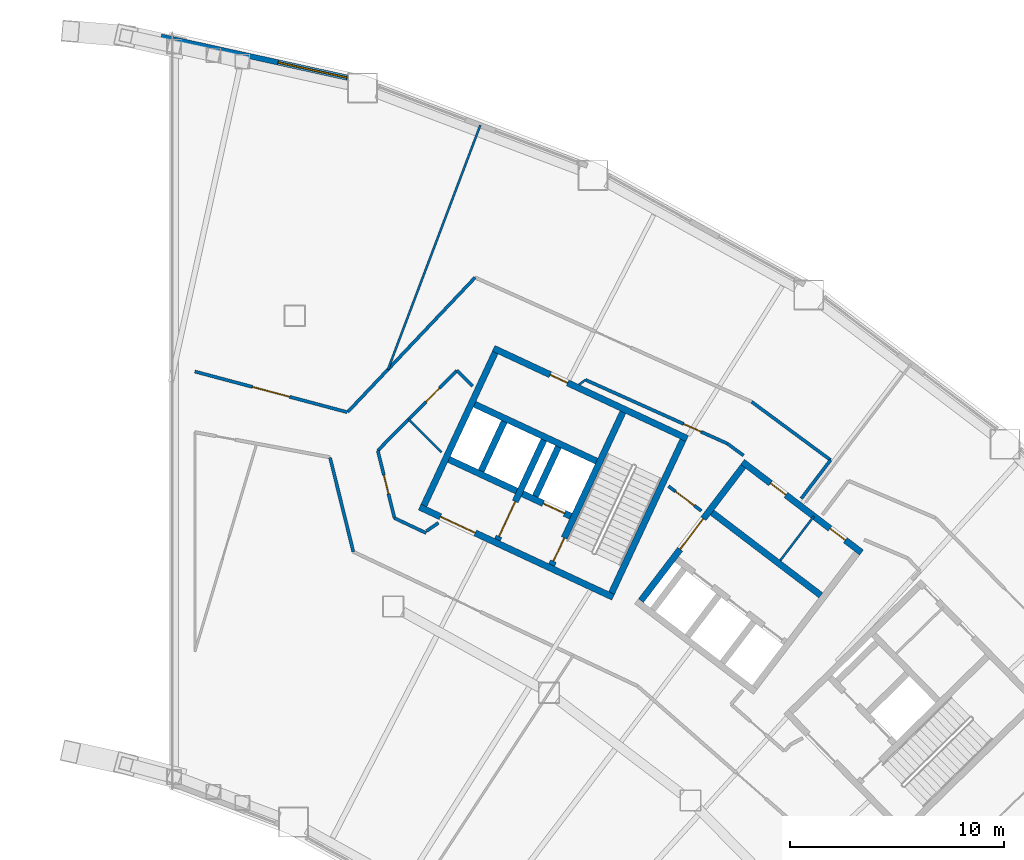
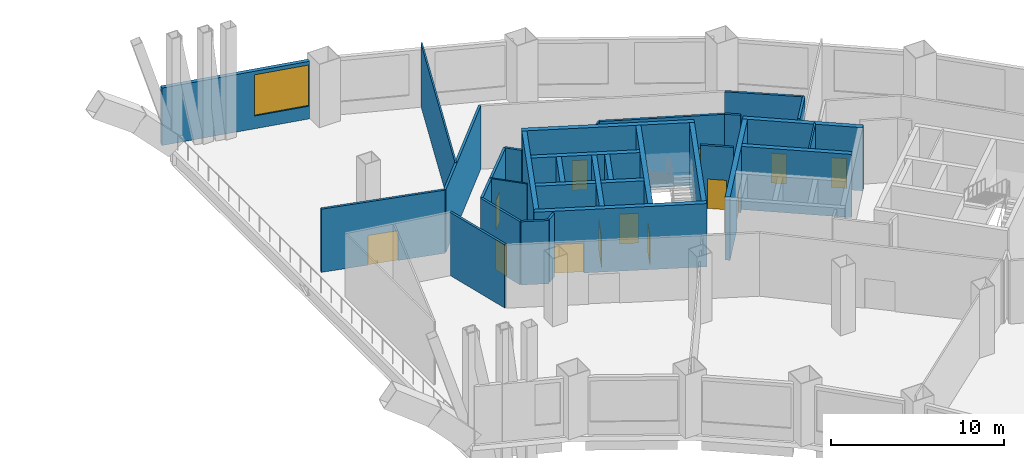
# One storey, part 10 of 14: 32 walls, 13 doors, 1 window, 14 openings.
"""IFC4 building model written with IfcOpenShell, lengths in metres."""

from ifc_helpers import new_model, si_unit, direction, frame, frame_2d, origin, place, context, subcontext, project, spatial, rectangle, extrude, material, layer, layer_set, type_object, element, fill, save


model = new_model("IFC4")

# Units and contexts
model_context = context("Model", 3, precision=1e-05, world=origin(), true_north=direction((0.0, 1.0)))
body_context = subcontext(model_context, "Body", "Model", "MODEL_VIEW")
ifc_project = project(units=[si_unit("LENGTHUNIT", "METRE"), si_unit("AREAUNIT", "SQUARE_METRE"), si_unit("VOLUMEUNIT", "CUBIC_METRE"), si_unit("PLANEANGLEUNIT", "RADIAN"), si_unit("MASSUNIT", "GRAM", prefix="KILO")], contexts=[model_context])

# Site, building, storey
site_placement = place(None, origin())
site = spatial("IfcSite", under=ifc_project, at=site_placement, CompositionType="ELEMENT")
building_placement = place(site_placement, origin())
building = spatial("IfcBuilding", under=site, at=building_placement, Name="Tuul Gate Civic Tower", CompositionType="ELEMENT")
storey_placement = place(building_placement, frame((0.0, 0.0, 17.10009765625)))
storey = spatial("IfcBuildingStorey", under=building, at=storey_placement, Name="Level 03", CompositionType="ELEMENT", Elevation=17.10009765625)

# Wall, opening, door
ifc_material_1 = material(Name="Concrete C50/60", Category="concrete")
ifc_layer_1 = layer(ifc_material_1, 0.300048828125)
ifc_layer_set_1 = layer_set([ifc_layer_1], Name="Concrete C50/60")
wall_type_1 = type_object("IfcWallType", Name="Core wall C50/60", PredefinedType="SHEAR", material=ifc_layer_set_1)
wall_1_placement = place(storey_placement, frame((34.5283203125, -7.25, 0.0), z_axis=(0.0, 0.0, 1.0), x_axis=(-0.906310338845, 0.422612789327, 0.0)))
wall_1 = element("IfcWall", 1, at=wall_1_placement, inside=storey, type_object=wall_type_1, Name="Core wall", PredefinedType="SHEAR", context=body_context, shape_type="SweptSolid", body=[
    extrude(rectangle(XDim=9.999755859375, YDim=0.300048828125, at=frame_2d((5.0, 0.0))), origin(), (0.0, 0.0, 1.0), 4.449951171875),
])
opening_1_placement = place(wall_1_placement, frame((7.125, 0.0, 0.0)))
opening_1 = element("IfcOpeningElement", 2, at=opening_1_placement, cuts=wall_1, Name="Opening LB-E3-LOBBY-1", PredefinedType="OPENING", context=body_context, shape_type="SweptSolid", body=[
    extrude(rectangle(XDim=1.800048828125, YDim=2.10009765625, at=frame_2d((0.89990234375, 1.050048828125))), frame((0.0, 0.16015625, 0.0), z_axis=(0.0, -1.0, 0.0), x_axis=(1.0, 0.0, 0.0)), (0.0, 0.0, 1.0), 0.320068359375),
])
ifc_material_2 = material(Name="Steel", Category="steel")
door_type_1 = type_object("IfcDoorType", Name="Lobby door", OperationType="DOUBLE_DOOR_SINGLE_SWING", PredefinedType="DOOR", material=ifc_material_2)
door_1_placement = place(opening_1_placement, frame((1.800048828125, 0.0, 0.0), z_axis=(0.0, 0.0, 1.0), x_axis=(-1.0, 0.0, 0.0)))
door_1 = element("IfcDoor", 3, at=door_1_placement, inside=storey, type_object=door_type_1, Name="Lobby door E3-LOBBY", OperationType="DOUBLE_DOOR_SINGLE_SWING", OverallHeight=2.10009765625, OverallWidth=1.800048828125, PredefinedType="DOOR", context=body_context, shape_type="SweptSolid", body=[
    extrude(rectangle(XDim=1.800048828125, YDim=2.10009765625, at=frame_2d((0.900146484375, 1.050048828125))), frame((0.0, 0.02490234375, 0.0), z_axis=(0.0, -1.0, 0.0), x_axis=(1.0, 0.0, 0.0)), (0.0, 0.0, 1.0), 0.050048828125),
])
fill(opening_1, door_1)

wall_2_placement = place(storey_placement, frame((32.545654296875, -3.456787109375, 0.0), z_axis=(0.0, 0.0, 1.0), x_axis=(-0.906300357825, 0.42263419337, 0.0)))
wall_2 = element("IfcWall", 4, at=wall_2_placement, inside=storey, type_object=wall_type_1, Name="Core wall", PredefinedType="SHEAR", context=body_context, shape_type="SweptSolid", body=[
    extrude(rectangle(XDim=2.500244140625, YDim=0.300048828125, at=frame_2d((1.25, 0.0))), origin(), (0.0, 0.0, 1.0), 4.449951171875),
])
opening_2_placement = place(wall_2_placement, frame((0.324951171875, 0.0, 0.0)))
opening_2 = element("IfcOpeningElement", 5, at=opening_2_placement, cuts=wall_2, Name="Opening LD-FF-2", PredefinedType="OPENING", context=body_context, shape_type="SweptSolid", body=[
    extrude(rectangle(XDim=1.10009765625, YDim=2.10009765625, at=frame_2d((0.550048828125, 1.050048828125))), frame((0.0, 0.16015625, 0.0), z_axis=(0.0, -1.0, 0.0), x_axis=(1.0, 0.0, 0.0)), (0.0, 0.0, 1.0), 0.320068359375),
])
ifc_material_3 = material(Name="Stainless steel", Category="steel")
door_type_2 = type_object("IfcDoorType", Name="Landing door", OperationType="DOUBLE_DOOR_SLIDING", PredefinedType="DOOR", material=ifc_material_3)
door_2_placement = place(opening_2_placement, origin())
door_2 = element("IfcDoor", 6, at=door_2_placement, inside=storey, type_object=door_type_2, Name="Fire-fighting lift FF-2 landing door", OperationType="DOUBLE_DOOR_SLIDING", OverallHeight=2.10009765625, OverallWidth=1.10009765625, PredefinedType="DOOR", context=body_context, shape_type="SweptSolid", body=[
    extrude(rectangle(XDim=1.10009765625, YDim=2.10009765625, at=frame_2d((0.550048828125, 1.050048828125))), frame((0.0, 0.02490234375, 0.0), z_axis=(0.0, -1.0, 0.0), x_axis=(1.0, 0.0, 0.0)), (0.0, 0.0, 1.0), 0.050048828125),
])
fill(opening_2, door_2)

# Walls
wall_3_placement = place(storey_placement, frame((30.0078125, -2.2734375, 0.0), z_axis=(0.0, 0.0, 1.0), x_axis=(-0.90630071767, 0.422633421716, 0.0)))
element("IfcWall", 7, at=wall_3_placement, inside=storey, type_object=wall_type_1, Name="Core wall", PredefinedType="SHEAR", context=body_context, shape_type="SweptSolid", body=[
    extrude(rectangle(XDim=3.5, YDim=0.300048828125, at=frame_2d((1.75, 0.0))), origin(), (0.0, 0.0, 1.0), 4.449951171875),
])
wall_4_placement = place(storey_placement, frame((33.75, -0.873779296875, 0.0), z_axis=(0.0, 0.0, 1.0), x_axis=(-0.906300917592, 0.422632992999, 0.0)))
element("IfcWall", 8, at=wall_4_placement, inside=storey, type_object=wall_type_1, Name="Core wall", PredefinedType="SHEAR", context=body_context, shape_type="SweptSolid", body=[
    extrude(rectangle(XDim=6.300048828125, YDim=0.300048828125, at=frame_2d((3.14990234375, 0.0))), origin(), (0.0, 0.0, 1.0), 4.449951171875),
])

# Wall, opening, door
wall_5_placement = place(storey_placement, frame((37.993408203125, 0.181884765625, 0.0), z_axis=(0.0, 0.0, 1.0), x_axis=(-0.906310338845, 0.422612789327, 0.0)))
wall_5 = element("IfcWall", 9, at=wall_5_placement, inside=storey, type_object=wall_type_1, Name="Core wall", PredefinedType="SHEAR", context=body_context, shape_type="SweptSolid", body=[
    extrude(rectangle(XDim=9.999755859375, YDim=0.300048828125, at=frame_2d((5.0, 0.0))), origin(), (0.0, 0.0, 1.0), 4.449951171875),
])
opening_3_placement = place(wall_5_placement, frame((6.175048828125, 0.0, 0.0)))
opening_3 = element("IfcOpeningElement", 10, at=opening_3_placement, cuts=wall_5, Name="Opening QC-D26", PredefinedType="OPENING", context=body_context, shape_type="SweptSolid", body=[
    extrude(rectangle(XDim=0.89990234375, YDim=2.10009765625, at=frame_2d((0.449951171875, 1.050048828125))), frame((0.0, 0.16015625, 0.0), z_axis=(0.0, -1.0, 0.0), x_axis=(1.0, 0.0, 0.0)), (0.0, 0.0, 1.0), 0.320068359375),
])
ifc_material_4 = material(Name="Timber door leaf", Category="wood")
door_type_3 = type_object("IfcDoorType", Name="Door D09", OperationType="NOTDEFINED", PredefinedType="DOOR", material=ifc_material_4)
door_3_placement = place(opening_3_placement, origin())
door_3 = element("IfcDoor", 11, at=door_3_placement, inside=storey, type_object=door_type_3, Name="Door QC-D26", OperationType="SINGLE_SWING_LEFT", OverallHeight=2.10009765625, OverallWidth=0.89990234375, PredefinedType="DOOR", context=body_context, shape_type="SweptSolid", body=[
    extrude(rectangle(XDim=0.89990234375, YDim=2.10009765625, at=frame_2d((0.449951171875, 1.050048828125))), frame((0.0, 0.02490234375, 0.0), z_axis=(0.0, -1.0, 0.0), x_axis=(1.0, 0.0, 0.0)), (0.0, 0.0, 1.0), 0.050048828125),
])
fill(opening_3, door_3)

# Wall
wall_6_placement = place(storey_placement, frame((34.455810546875, -7.05078125, 0.0), z_axis=(0.0, 0.0, 1.0), x_axis=(0.422570768258, 0.906329932096, 0.0)))
element("IfcWall", 12, at=wall_6_placement, inside=storey, type_object=wall_type_1, Name="Core wall", PredefinedType="SHEAR", context=body_context, shape_type="SweptSolid", body=[
    extrude(rectangle(XDim=7.900146484375, YDim=0.300048828125, at=frame_2d((3.9501953125, 0.0))), origin(), (0.0, 0.0, 1.0), 4.449951171875),
])

# Wall, opening, door
wall_7_placement = place(storey_placement, frame((31.646240234375, -5.740478515625, 0.0), z_axis=(0.0, 0.0, 1.0), x_axis=(0.422582604137, 0.906324413596, 0.0)))
wall_7 = element("IfcWall", 13, at=wall_7_placement, inside=storey, type_object=wall_type_1, Name="Core wall", PredefinedType="SHEAR", context=body_context, shape_type="SweptSolid", body=[
    extrude(rectangle(XDim=7.89990234375, YDim=0.300048828125, at=frame_2d((3.949951171875, 0.0))), origin(), (0.0, 0.0, 1.0), 4.449951171875),
])
opening_4_placement = place(wall_7_placement, frame((0.199951171875, 0.0, 0.0)))
opening_4 = element("IfcOpeningElement", 14, at=opening_4_placement, cuts=wall_7, Name="Opening SD-ST-4", PredefinedType="OPENING", context=body_context, shape_type="SweptSolid", body=[
    extrude(rectangle(XDim=1.199951171875, YDim=2.10009765625, at=frame_2d((0.60009765625, 1.050048828125))), frame((0.0, 0.16015625, 0.0), z_axis=(0.0, -1.0, 0.0), x_axis=(1.0, 0.0, 0.0)), (0.0, 0.0, 1.0), 0.320068359375),
])
ifc_material_5 = material(Name="Steel", Category="steel")
door_type_4 = type_object("IfcDoorType", Name="Stair door", OperationType="NOTDEFINED", PredefinedType="DOOR", material=ifc_material_5)
door_4_placement = place(opening_4_placement, origin())
door_4 = element("IfcDoor", 15, at=door_4_placement, inside=storey, type_object=door_type_4, Name="Stair door ST-4", OperationType="SINGLE_SWING_LEFT", OverallHeight=2.10009765625, OverallWidth=1.199951171875, PredefinedType="DOOR", context=body_context, shape_type="SweptSolid", body=[
    extrude(rectangle(XDim=1.199951171875, YDim=2.10009765625, at=frame_2d((0.60009765625, 1.050048828125))), frame((0.0, 0.02490234375, 0.0), z_axis=(0.0, -1.0, 0.0), x_axis=(1.0, 0.0, 0.0)), (0.0, 0.0, 1.0), 0.050048828125),
])
fill(opening_4, door_4)

# Wall
wall_8_placement = place(storey_placement, frame((30.886962890625, -2.517822265625, 0.0), z_axis=(0.0, 0.0, 1.0), x_axis=(0.422612891016, 0.906310291427, 0.0)))
element("IfcWall", 16, at=wall_8_placement, inside=storey, type_object=wall_type_1, Name="Core wall", PredefinedType="SHEAR", context=body_context, shape_type="SweptSolid", body=[
    extrude(rectangle(XDim=2.550048828125, YDim=0.300048828125, at=frame_2d((1.27490234375, 0.0))), origin(), (0.0, 0.0, 1.0), 4.449951171875),
])

# Wall, opening, door
wall_9_placement = place(storey_placement, frame((29.108642578125, -4.557373046875, 0.0), z_axis=(0.0, 0.0, 1.0), x_axis=(0.422566235356, 0.90633204552, 0.0)))
wall_9 = element("IfcWall", 17, at=wall_9_placement, inside=storey, type_object=wall_type_1, Name="Core wall", PredefinedType="SHEAR", context=body_context, shape_type="SweptSolid", body=[
    extrude(rectangle(XDim=5.150146484375, YDim=0.300048828125, at=frame_2d((2.5751953125, 0.0))), origin(), (0.0, 0.0, 1.0), 4.449951171875),
])
opening_5_placement = place(wall_9_placement, frame((0.175048828125, 0.0, 0.0)))
opening_5 = element("IfcOpeningElement", 18, at=opening_5_placement, cuts=wall_9, Name="Opening LB-E3-FLOBBY-1", PredefinedType="OPENING", context=body_context, shape_type="SweptSolid", body=[
    extrude(rectangle(XDim=1.800048828125, YDim=2.10009765625, at=frame_2d((0.89990234375, 1.050048828125))), frame((0.0, 0.16015625, 0.0), z_axis=(0.0, -1.0, 0.0), x_axis=(1.0, 0.0, 0.0)), (0.0, 0.0, 1.0), 0.320068359375),
])
door_5_placement = place(opening_5_placement, frame((1.800048828125, 0.0, 0.0), z_axis=(0.0, 0.0, 1.0), x_axis=(-1.0, 0.0, 0.0)))
door_5 = element("IfcDoor", 19, at=door_5_placement, inside=storey, type_object=door_type_1, Name="Lobby door E3-FLOBBY", OperationType="DOUBLE_DOOR_SINGLE_SWING", OverallHeight=2.10009765625, OverallWidth=1.800048828125, PredefinedType="DOOR", context=body_context, shape_type="SweptSolid", body=[
    extrude(rectangle(XDim=1.800048828125, YDim=2.10009765625, at=frame_2d((0.900146484375, 1.050048828125))), frame((0.0, 0.02490234375, 0.0), z_axis=(0.0, -1.0, 0.0), x_axis=(1.0, 0.0, 0.0)), (0.0, 0.0, 1.0), 0.050048828125),
])
fill(opening_5, door_5)

# Walls
wall_10_placement = place(storey_placement, frame((28.349365234375, -1.33447265625, 0.0), z_axis=(0.0, 0.0, 1.0), x_axis=(0.422612891016, 0.906310291427, 0.0)))
element("IfcWall", 20, at=wall_10_placement, inside=storey, type_object=wall_type_1, Name="Core wall", PredefinedType="SHEAR", context=body_context, shape_type="SweptSolid", body=[
    extrude(rectangle(XDim=2.550048828125, YDim=0.300048828125, at=frame_2d((1.27490234375, 0.0))), origin(), (0.0, 0.0, 1.0), 4.449951171875),
])
wall_11_placement = place(storey_placement, frame((25.66455078125, -2.951416015625, 0.0), z_axis=(0.0, 0.0, 1.0), x_axis=(0.422582604137, 0.906324413596, 0.0)))
element("IfcWall", 21, at=wall_11_placement, inside=storey, type_object=wall_type_1, Name="Core wall", PredefinedType="SHEAR", context=body_context, shape_type="SweptSolid", body=[
    extrude(rectangle(XDim=7.89990234375, YDim=0.300048828125, at=frame_2d((3.949951171875, 0.0))), origin(), (0.0, 0.0, 1.0), 4.449951171875),
])
ifc_material_6 = material(Name="Gypsum board partition")
ifc_layer_2 = layer(ifc_material_6, 0.14990234375)
ifc_layer_set_2 = layer_set([ifc_layer_2], Name="Gypsum board partition")
wall_type_2 = type_object("IfcWallType", Name="Corridor wall P150", PredefinedType="PARTITIONING", material=ifc_layer_set_2)
wall_12_placement = place(storey_placement, frame((43.338134765625, -2.626953125, 0.0), z_axis=(0.0, 0.0, 1.0), x_axis=(0.605640525539, 0.79573837021, 0.0)))
element("IfcWall", 22, at=wall_12_placement, inside=storey, type_object=wall_type_2, Name="p008", PredefinedType="PARTITIONING", context=body_context, shape_type="SweptSolid", body=[
    extrude(rectangle(XDim=2.265380859375, YDim=0.14990234375, at=frame_2d((1.1328125, 0.0))), origin(), (0.0, 0.0, 1.0), 4.449951171875),
])
wall_13_placement = place(storey_placement, frame((41.020263671875, 1.89990234375, 0.0), z_axis=(0.0, 0.0, 1.0), x_axis=(0.804620713657, -0.593789109999, 0.0)))
element("IfcWall", 23, at=wall_13_placement, inside=storey, type_object=wall_type_2, Name="p009", PredefinedType="PARTITIONING", context=body_context, shape_type="SweptSolid", body=[
    extrude(rectangle(XDim=4.585693359375, YDim=0.14990234375, at=frame_2d((2.29296875, 0.0))), origin(), (0.0, 0.0, 1.0), 4.449951171875),
])
wall_14_placement = place(storey_placement, frame((22.09521484375, 1.4248046875, 0.0), z_axis=(0.0, 0.0, 1.0), x_axis=(0.687597115195, 0.726092423301, 0.0)))
element("IfcWall", 24, at=wall_14_placement, inside=storey, type_object=wall_type_2, Name="p011", PredefinedType="PARTITIONING", context=body_context, shape_type="SweptSolid", body=[
    extrude(rectangle(XDim=8.676025390625, YDim=0.14990234375, at=frame_2d((4.337890625, 0.0))), origin(), (0.0, 0.0, 1.0), 4.449951171875),
])

# Wall, opening, door
wall_15_placement = place(storey_placement, frame((14.939697265625, 3.321044921875, 0.0), z_axis=(0.0, 0.0, 1.0), x_axis=(0.96624152473, -0.257637955059, 0.0)))
wall_15 = element("IfcWall", 25, at=wall_15_placement, inside=storey, type_object=wall_type_2, Name="p012", PredefinedType="PARTITIONING", context=body_context, shape_type="SweptSolid", body=[
    extrude(rectangle(XDim=7.3837890625, YDim=0.14990234375, at=frame_2d((3.69189453125, 0.0))), origin(), (0.0, 0.0, 1.0), 4.449951171875),
])
opening_6_placement = place(wall_15_placement, frame((2.7919921875, 0.0, 0.0)))
opening_6 = element("IfcOpeningElement", 26, at=opening_6_placement, cuts=wall_15, Name="Opening QC-D03", PredefinedType="OPENING", context=body_context, shape_type="SweptSolid", body=[
    extrude(rectangle(XDim=1.800048828125, YDim=2.10009765625, at=frame_2d((0.89990234375, 1.050048828125))), frame((0.0, 0.0849609375, 0.0), z_axis=(0.0, -1.0, 0.0), x_axis=(1.0, 0.0, 0.0)), (0.0, 0.0, 1.0), 0.169921875),
])
ifc_material_7 = material(Name="Timber door leaf, double", Category="wood")
door_type_5 = type_object("IfcDoorType", Name="Door D18", OperationType="DOUBLE_DOOR_SINGLE_SWING", PredefinedType="DOOR", material=ifc_material_7)
door_6_placement = place(opening_6_placement, origin())
door_6 = element("IfcDoor", 27, at=door_6_placement, inside=storey, type_object=door_type_5, Name="Door QC-D03", OperationType="DOUBLE_DOOR_SINGLE_SWING", OverallHeight=2.10009765625, OverallWidth=1.800048828125, PredefinedType="DOOR", context=body_context, shape_type="SweptSolid", body=[
    extrude(rectangle(XDim=1.800048828125, YDim=2.10009765625, at=frame_2d((0.89990234375, 1.050048828125))), frame((0.0, 0.02490234375, 0.0), z_axis=(0.0, -1.0, 0.0), x_axis=(1.0, 0.0, 0.0)), (0.0, 0.0, 1.0), 0.050048828125),
])
fill(opening_6, door_6)

# Wall
wall_16_placement = place(storey_placement, frame((21.27001953125, -0.707763671875, 0.0), z_axis=(0.0, 0.0, 1.0), x_axis=(0.239931301676, -0.970789869372, 0.0)))
element("IfcWall", 28, at=wall_16_placement, inside=storey, type_object=wall_type_2, Name="p029", PredefinedType="PARTITIONING", context=body_context, shape_type="SweptSolid", body=[
    extrude(rectangle(XDim=4.54541015625, YDim=0.14990234375, at=frame_2d((2.272705078125, 0.0))), origin(), (0.0, 0.0, 1.0), 4.449951171875),
])

# Wall, opening, door
wall_17_placement = place(storey_placement, frame((37.119873046875, -2.049072265625, 0.0), z_axis=(0.0, 0.0, 1.0), x_axis=(0.799053862654, -0.601259448639, 0.0)))
wall_17 = element("IfcWall", 29, at=wall_17_placement, inside=storey, type_object=wall_type_2, Name="p045", PredefinedType="PARTITIONING", context=body_context, shape_type="SweptSolid", body=[
    extrude(rectangle(XDim=1.921875, YDim=0.14990234375, at=frame_2d((0.9609375, 0.0))), origin(), (0.0, 0.0, 1.0), 4.449951171875),
])
opening_7_placement = place(wall_17_placement, frame((0.410888671875, 0.0, 0.0)))
opening_7 = element("IfcOpeningElement", 30, at=opening_7_placement, cuts=wall_17, Name="Opening QC-D19", PredefinedType="OPENING", context=body_context, shape_type="SweptSolid", body=[
    extrude(rectangle(XDim=1.10009765625, YDim=2.10009765625, at=frame_2d((0.550048828125, 1.050048828125))), frame((0.0, 0.0849609375, 0.0), z_axis=(0.0, -1.0, 0.0), x_axis=(1.0, 0.0, 0.0)), (0.0, 0.0, 1.0), 0.169921875),
])
ifc_material_8 = material(Name="Timber door leaf", Category="wood")
door_type_6 = type_object("IfcDoorType", Name="Door D11", OperationType="NOTDEFINED", PredefinedType="DOOR", material=ifc_material_8)
door_7_placement = place(opening_7_placement, origin())
door_7 = element("IfcDoor", 31, at=door_7_placement, inside=storey, type_object=door_type_6, Name="Door QC-D19", OperationType="SINGLE_SWING_RIGHT", OverallHeight=2.10009765625, OverallWidth=1.10009765625, PredefinedType="DOOR", context=body_context, shape_type="SweptSolid", body=[
    extrude(rectangle(XDim=1.10009765625, YDim=2.10009765625, at=frame_2d((0.550048828125, 1.050048828125))), frame((0.0, 0.02490234375, 0.0), z_axis=(0.0, -1.0, 0.0), x_axis=(1.0, 0.0, 0.0)), (0.0, 0.0, 1.0), 0.050048828125),
])
fill(opening_7, door_7)

wall_18_placement = place(storey_placement, frame((33.231201171875, 2.934326171875, 0.0), z_axis=(0.0, 0.0, 1.0), x_axis=(0.912102039771, -0.409963253287, 0.0)))
wall_18 = element("IfcWall", 32, at=wall_18_placement, inside=storey, type_object=wall_type_2, Name="p046", PredefinedType="PARTITIONING", context=body_context, shape_type="SweptSolid", body=[
    extrude(rectangle(XDim=7.28369140625, YDim=0.14990234375, at=frame_2d((3.641845703125, 0.0))), origin(), (0.0, 0.0, 1.0), 4.449951171875),
])
opening_8_placement = place(wall_18_placement, frame((5.0419921875, 0.0, 0.0)))
opening_8 = element("IfcOpeningElement", 33, at=opening_8_placement, cuts=wall_18, Name="Opening QC-D13", PredefinedType="OPENING", context=body_context, shape_type="SweptSolid", body=[
    extrude(rectangle(XDim=0.89990234375, YDim=2.10009765625, at=frame_2d((0.449951171875, 1.050048828125))), frame((0.0, 0.0849609375, 0.0), z_axis=(0.0, -1.0, 0.0), x_axis=(1.0, 0.0, 0.0)), (0.0, 0.0, 1.0), 0.169921875),
])
door_8_placement = place(opening_8_placement, origin())
door_8 = element("IfcDoor", 34, at=door_8_placement, inside=storey, type_object=door_type_3, Name="Door QC-D13", OperationType="SINGLE_SWING_RIGHT", OverallHeight=2.10009765625, OverallWidth=0.89990234375, PredefinedType="DOOR", context=body_context, shape_type="SweptSolid", body=[
    extrude(rectangle(XDim=0.89990234375, YDim=2.10009765625, at=frame_2d((0.449951171875, 1.050048828125))), frame((0.0, 0.02490234375, 0.0), z_axis=(0.0, -1.0, 0.0), x_axis=(1.0, 0.0, 0.0)), (0.0, 0.0, 1.0), 0.050048828125),
])
fill(opening_8, door_8)

# Walls
wall_19_placement = place(storey_placement, frame((39.879638671875, -0.0546875, 0.0), z_axis=(0.0, 0.0, 1.0), x_axis=(0.804648397726, -0.593751594555, 0.0)))
element("IfcWall", 35, at=wall_19_placement, inside=storey, type_object=wall_type_2, Name="p047", PredefinedType="PARTITIONING", context=body_context, shape_type="SweptSolid", body=[
    extrude(rectangle(XDim=0.934326171875, YDim=0.14990234375, at=frame_2d((0.46728515625, 0.0))), origin(), (0.0, 0.0, 1.0), 4.449951171875),
])
wall_20_placement = place(storey_placement, frame((27.20947265625, 3.3671875, 0.0), z_axis=(0.0, 0.0, 1.0), x_axis=(0.710888019411, -0.703305213871, 0.0)))
element("IfcWall", 36, at=wall_20_placement, inside=storey, type_object=wall_type_2, Name="p048", PredefinedType="PARTITIONING", context=body_context, shape_type="SweptSolid", body=[
    extrude(rectangle(XDim=1.0302734375, YDim=0.14990234375, at=frame_2d((0.51513671875, 0.0))), origin(), (0.0, 0.0, 1.0), 4.449951171875),
])

# Wall, opening, door
wall_21_placement = place(storey_placement, frame((23.506103515625, -0.377197265625, 0.0), z_axis=(0.0, 0.0, 1.0), x_axis=(0.70320200061, 0.710990116906, 0.0)))
wall_21 = element("IfcWall", 37, at=wall_21_placement, inside=storey, type_object=wall_type_2, Name="p049", PredefinedType="PARTITIONING", context=body_context, shape_type="SweptSolid", body=[
    extrude(rectangle(XDim=5.266357421875, YDim=0.14990234375, at=frame_2d((2.63330078125, 0.0))), origin(), (0.0, 0.0, 1.0), 4.449951171875),
])
opening_9_placement = place(wall_21_placement, frame((3.206298828125, 0.0, 0.0)))
opening_9 = element("IfcOpeningElement", 38, at=opening_9_placement, cuts=wall_21, Name="Opening QC-D14", PredefinedType="OPENING", context=body_context, shape_type="SweptSolid", body=[
    extrude(rectangle(XDim=0.89990234375, YDim=2.10009765625, at=frame_2d((0.449951171875, 1.050048828125))), frame((0.0, 0.0849609375, 0.0), z_axis=(0.0, -1.0, 0.0), x_axis=(1.0, 0.0, 0.0)), (0.0, 0.0, 1.0), 0.169921875),
])
door_9_placement = place(opening_9_placement, frame((0.89990234375, 0.0, 0.0), z_axis=(0.0, 0.0, 1.0), x_axis=(-1.0, 0.0, 0.0)))
door_9 = element("IfcDoor", 39, at=door_9_placement, inside=storey, type_object=door_type_3, Name="Door QC-D14", OperationType="SINGLE_SWING_LEFT", OverallHeight=2.10009765625, OverallWidth=0.89990234375, PredefinedType="DOOR", context=body_context, shape_type="SweptSolid", body=[
    extrude(rectangle(XDim=0.89990234375, YDim=2.10009765625, at=frame_2d((0.449951171875, 1.050048828125))), frame((0.0, 0.02490234375, 0.0), z_axis=(0.0, -1.0, 0.0), x_axis=(1.0, 0.0, 0.0)), (0.0, 0.0, 1.0), 0.050048828125),
])
fill(opening_9, door_9)

wall_22_placement = place(storey_placement, frame((23.506103515625, -0.377197265625, 0.0), z_axis=(0.0, 0.0, 1.0), x_axis=(0.239910407962, -0.970795033028, 0.0)))
wall_22 = element("IfcWall", 40, at=wall_22_placement, inside=storey, type_object=wall_type_2, Name="p062", PredefinedType="PARTITIONING", context=body_context, shape_type="SweptSolid", body=[
    extrude(rectangle(XDim=3.261474609375, YDim=0.14990234375, at=frame_2d((1.630859375, 0.0))), origin(), (0.0, 0.0, 1.0), 4.449951171875),
])
opening_10_placement = place(wall_22_placement, frame((1.180908203125, 0.0, 0.0)))
opening_10 = element("IfcOpeningElement", 41, at=opening_10_placement, cuts=wall_22, Name="Opening QC-D17", PredefinedType="OPENING", context=body_context, shape_type="SweptSolid", body=[
    extrude(rectangle(XDim=0.89990234375, YDim=2.10009765625, at=frame_2d((0.449951171875, 1.050048828125))), frame((0.0, 0.0849609375, 0.0), z_axis=(0.0, -1.0, 0.0), x_axis=(1.0, 0.0, 0.0)), (0.0, 0.0, 1.0), 0.169921875),
])
door_10_placement = place(opening_10_placement, origin())
door_10 = element("IfcDoor", 42, at=door_10_placement, inside=storey, type_object=door_type_3, Name="Door QC-D17", OperationType="SINGLE_SWING_RIGHT", OverallHeight=2.10009765625, OverallWidth=0.89990234375, PredefinedType="DOOR", context=body_context, shape_type="SweptSolid", body=[
    extrude(rectangle(XDim=0.89990234375, YDim=2.10009765625, at=frame_2d((0.449951171875, 1.050048828125))), frame((0.0, 0.02490234375, 0.0), z_axis=(0.0, -1.0, 0.0), x_axis=(1.0, 0.0, 0.0)), (0.0, 0.0, 1.0), 0.050048828125),
])
fill(opening_10, door_10)

# Walls
wall_23_placement = place(storey_placement, frame((24.28857421875, -3.54345703125, 0.0), z_axis=(0.0, 0.0, 1.0), x_axis=(0.904231090913, -0.427043480487, 0.0)))
element("IfcWall", 43, at=wall_23_placement, inside=storey, type_object=wall_type_2, Name="p063", PredefinedType="PARTITIONING", context=body_context, shape_type="SweptSolid", body=[
    extrude(rectangle(XDim=1.640869140625, YDim=0.14990234375, at=frame_2d((0.8203125, 0.0))), origin(), (0.0, 0.0, 1.0), 4.449951171875),
])
wall_24_placement = place(storey_placement, frame((25.79052734375, -4.14697265625, 0.0), z_axis=(0.0, 0.0, 1.0), x_axis=(0.823469938028, 0.567359904439, 0.0)))
element("IfcWall", 44, at=wall_24_placement, inside=storey, type_object=wall_type_2, Name="p064", PredefinedType="PARTITIONING", context=body_context, shape_type="SweptSolid", body=[
    extrude(rectangle(XDim=0.673095703125, YDim=0.14990234375, at=frame_2d((0.33642578125, 0.0))), origin(), (0.0, 0.0, 1.0), 4.449951171875),
])

# Wall, opening, window
ifc_material_9 = material(Name="Precast concrete C40/50", Category="concrete")
ifc_layer_3 = layer(ifc_material_9, 0.25)
ifc_layer_set_3 = layer_set([ifc_layer_3], Name="Precast concrete C40/50")
wall_type_3 = type_object("IfcWallType", Name="External wall", PredefinedType="STANDARD", material=ifc_layer_set_3)
wall_25_placement = place(storey_placement, frame((22.092041015625, 17.081787109375, 0.0), z_axis=(0.0, 0.0, 1.0), x_axis=(-0.976572225809, 0.215189887722, 0.0)))
wall_25 = element("IfcWall", 45, at=wall_25_placement, inside=storey, type_object=wall_type_3, Name="External wall", PredefinedType="STANDARD", context=body_context, shape_type="SweptSolid", body=[
    extrude(rectangle(XDim=8.9423828125, YDim=0.25, at=frame_2d((4.47119140625, 0.0))), origin(), (0.0, 0.0, 1.0), 4.0498046875),
])
opening_11_placement = place(wall_25_placement, frame((0.04296875, 0.0, 0.89990234375)))
opening_11 = element("IfcOpeningElement", 46, at=opening_11_placement, cuts=wall_25, Name="Opening W87", PredefinedType="OPENING", context=body_context, shape_type="SweptSolid", body=[
    extrude(rectangle(XDim=3.300048828125, YDim=2.89990234375, at=frame_2d((1.64990234375, 1.449951171875))), frame((0.0, 0.135009765625, 0.0), z_axis=(0.0, -1.0, 0.0), x_axis=(1.0, 0.0, 0.0)), (0.0, 0.0, 1.0), 0.27001953125),
])
ifc_material_10 = material(Name="Glass", Category="glass")
window_type = type_object("IfcWindowType", Name="Window W87 3300 x 2900", PartitioningType="SINGLE_PANEL", PredefinedType="WINDOW", material=ifc_material_10)
window_placement = place(opening_11_placement, origin())
window = element("IfcWindow", 47, at=window_placement, inside=storey, type_object=window_type, Name="Window", OverallHeight=2.89990234375, OverallWidth=3.300048828125, PartitioningType="SINGLE_PANEL", PredefinedType="WINDOW", context=body_context, shape_type="SweptSolid", body=[
    extrude(rectangle(XDim=3.300048828125, YDim=2.89990234375, at=frame_2d((1.64990234375, 1.449951171875))), frame((0.0, 0.030029296875, 0.0), z_axis=(0.0, -1.0, 0.0), x_axis=(1.0, 0.0, 0.0)), (0.0, 0.0, 1.0), 0.06005859375),
])
fill(opening_11, window)

# Wall
ifc_material_11 = material(Name="Concrete C40/50", Category="concrete")
ifc_layer_4 = layer(ifc_material_11, 0.300048828125)
ifc_layer_set_4 = layer_set([ifc_layer_4], Name="Concrete C40/50")
wall_type_4 = type_object("IfcWallType", Name="Lift shaft wall C40/50", PredefinedType="STANDARD", material=ifc_layer_set_4)
wall_26_placement = place(storey_placement, frame((44.254638671875, -7.15966796875, 0.0), z_axis=(0.0, 0.0, 1.0), x_axis=(-0.795565675562, 0.605867358312, 0.0)))
element("IfcWall", 48, at=wall_26_placement, inside=storey, type_object=wall_type_4, Name="Shaft wall", PredefinedType="STANDARD", context=body_context, shape_type="SweptSolid", body=[
    extrude(rectangle(XDim=6.400146484375, YDim=0.300048828125, at=frame_2d((3.2001953125, 0.0))), origin(), (0.0, 0.0, 1.0), 4.449951171875),
])

# Wall, openings, doors
wall_27_placement = place(storey_placement, frame((46.1591796875, -5.1533203125, 0.0), z_axis=(0.0, 0.0, 1.0), x_axis=(-0.795579811045, 0.605848796531, 0.0)))
wall_27 = element("IfcWall", 49, at=wall_27_placement, inside=storey, type_object=wall_type_4, Name="Shaft wall", PredefinedType="STANDARD", context=body_context, shape_type="SweptSolid", body=[
    extrude(rectangle(XDim=7.0, YDim=0.300048828125, at=frame_2d((3.5, 0.0))), origin(), (0.0, 0.0, 1.0), 4.449951171875),
])
opening_12_placement = place(wall_27_placement, frame((0.949951171875, 0.0, 0.0)))
opening_12 = element("IfcOpeningElement", 50, at=opening_12_placement, cuts=wall_27, Name="Opening QC-D22", PredefinedType="OPENING", context=body_context, shape_type="SweptSolid", body=[
    extrude(rectangle(XDim=0.89990234375, YDim=2.10009765625, at=frame_2d((0.449951171875, 1.050048828125))), frame((0.0, 0.16015625, 0.0), z_axis=(0.0, -1.0, 0.0), x_axis=(1.0, 0.0, 0.0)), (0.0, 0.0, 1.0), 0.320068359375),
])
opening_13_placement = place(wall_27_placement, frame((4.449951171875, 0.0, 0.0)))
opening_13 = element("IfcOpeningElement", 51, at=opening_13_placement, cuts=wall_27, Name="Opening QC-D23", PredefinedType="OPENING", context=body_context, shape_type="SweptSolid", body=[
    extrude(rectangle(XDim=0.89990234375, YDim=2.10009765625, at=frame_2d((0.449951171875, 1.050048828125))), frame((0.0, 0.16015625, 0.0), z_axis=(0.0, -1.0, 0.0), x_axis=(1.0, 0.0, 0.0)), (0.0, 0.0, 1.0), 0.320068359375),
])
door_11_placement = place(opening_12_placement, origin())
door_11 = element("IfcDoor", 52, at=door_11_placement, inside=storey, type_object=door_type_3, Name="Door QC-D22", OperationType="SINGLE_SWING_LEFT", OverallHeight=2.10009765625, OverallWidth=0.89990234375, PredefinedType="DOOR", context=body_context, shape_type="SweptSolid", body=[
    extrude(rectangle(XDim=0.89990234375, YDim=2.10009765625, at=frame_2d((0.449951171875, 1.050048828125))), frame((0.0, 0.02490234375, 0.0), z_axis=(0.0, -1.0, 0.0), x_axis=(1.0, 0.0, 0.0)), (0.0, 0.0, 1.0), 0.050048828125),
])
fill(opening_12, door_11)
door_12_placement = place(opening_13_placement, origin())
door_12 = element("IfcDoor", 53, at=door_12_placement, inside=storey, type_object=door_type_3, Name="Door QC-D23", OperationType="SINGLE_SWING_RIGHT", OverallHeight=2.10009765625, OverallWidth=0.89990234375, PredefinedType="DOOR", context=body_context, shape_type="SweptSolid", body=[
    extrude(rectangle(XDim=0.89990234375, YDim=2.10009765625, at=frame_2d((0.449951171875, 1.050048828125))), frame((0.0, 0.02490234375, 0.0), z_axis=(0.0, -1.0, 0.0), x_axis=(1.0, 0.0, 0.0)), (0.0, 0.0, 1.0), 0.050048828125),
])
fill(opening_13, door_12)

# Wall, opening, door
wall_28_placement = place(storey_placement, frame((35.8330078125, -7.408203125, 0.0), z_axis=(0.0, 0.0, 1.0), x_axis=(0.605769437763, 0.795640237967, 0.0)))
wall_28 = element("IfcWall", 54, at=wall_28_placement, inside=storey, type_object=wall_type_4, Name="Shaft wall", PredefinedType="STANDARD", context=body_context, shape_type="SweptSolid", body=[
    extrude(rectangle(XDim=7.900146484375, YDim=0.300048828125, at=frame_2d((3.9501953125, 0.0))), origin(), (0.0, 0.0, 1.0), 4.449951171875),
])
opening_14_placement = place(wall_28_placement, frame((3.02490234375, 0.0, 0.0)))
opening_14 = element("IfcOpeningElement", 55, at=opening_14_placement, cuts=wall_28, Name="Opening LB-E2-LOBBY-1", PredefinedType="OPENING", context=body_context, shape_type="SweptSolid", body=[
    extrude(rectangle(XDim=1.800048828125, YDim=2.10009765625, at=frame_2d((0.89990234375, 1.050048828125))), frame((0.0, 0.16015625, 0.0), z_axis=(0.0, -1.0, 0.0), x_axis=(1.0, 0.0, 0.0)), (0.0, 0.0, 1.0), 0.320068359375),
])
door_13_placement = place(opening_14_placement, frame((1.800048828125, 0.0, 0.0), z_axis=(0.0, 0.0, 1.0), x_axis=(-1.0, 0.0, 0.0)))
door_13 = element("IfcDoor", 56, at=door_13_placement, inside=storey, type_object=door_type_1, Name="Lobby door E2-LOBBY", OperationType="DOUBLE_DOOR_SINGLE_SWING", OverallHeight=2.10009765625, OverallWidth=1.800048828125, PredefinedType="DOOR", context=body_context, shape_type="SweptSolid", body=[
    extrude(rectangle(XDim=1.800048828125, YDim=2.10009765625, at=frame_2d((0.900146484375, 1.050048828125))), frame((0.0, 0.02490234375, 0.0), z_axis=(0.0, -1.0, 0.0), x_axis=(1.0, 0.0, 0.0)), (0.0, 0.0, 1.0), 0.050048828125),
])
fill(opening_14, door_13)

# Walls
ifc_material_12 = material(Name="Gypsum board partition")
ifc_layer_5 = layer(ifc_material_12, 0.10009765625)
ifc_layer_set_5 = layer_set([ifc_layer_5], Name="Gypsum board partition")
wall_type_5 = type_object("IfcWallType", Name="Partition P100", PredefinedType="PARTITIONING", material=ifc_layer_set_5)
wall_29_placement = place(storey_placement, frame((23.98095703125, 3.416015625, 0.0), z_axis=(0.0, 0.0, 1.0), x_axis=(0.353710953695, 0.935354778272, 0.0)))
element("IfcWall", 57, at=wall_29_placement, inside=storey, type_object=wall_type_5, Name="p007", PredefinedType="PARTITIONING", context=body_context, shape_type="SweptSolid", body=[
    extrude(rectangle(XDim=12.236328125, YDim=0.10009765625, at=frame_2d((6.1181640625, 0.0))), origin(), (0.0, 0.0, 1.0), 4.449951171875),
])
wall_30_placement = place(storey_placement, frame((24.9453125, 1.07763671875, 0.0), z_axis=(0.0, 0.0, 1.0), x_axis=(0.711011817654, -0.703180058844, 0.0)))
element("IfcWall", 58, at=wall_30_placement, inside=storey, type_object=wall_type_5, Name="p050", PredefinedType="PARTITIONING", context=body_context, shape_type="SweptSolid", body=[
    extrude(rectangle(XDim=2.18212890625, YDim=0.10009765625, at=frame_2d((1.091064453125, 0.0))), origin(), (0.0, 0.0, 1.0), 4.449951171875),
])
wall_31_placement = place(storey_placement, frame((33.231201171875, 2.934326171875, 0.0), z_axis=(0.0, 0.0, 1.0), x_axis=(-0.798595403271, -0.601868242953, 0.0)))
element("IfcWall", 59, at=wall_31_placement, inside=storey, type_object=wall_type_5, Name="p068", PredefinedType="PARTITIONING", context=body_context, shape_type="SweptSolid", body=[
    extrude(rectangle(XDim=0.3759765625, YDim=0.10009765625, at=frame_2d((0.18798828125, 0.0))), origin(), (0.0, 0.0, 1.0), 4.449951171875),
])
wall_32_placement = place(storey_placement, frame((42.3564453125, -5.525634765625, 0.0), z_axis=(0.0, 0.0, 1.0), x_axis=(0.605768745095, 0.795640765337, 0.0)))
element("IfcWall", 60, at=wall_32_placement, inside=storey, type_object=wall_type_5, Name="bE2-BAND-0", PredefinedType="PARTITIONING", context=body_context, shape_type="SweptSolid", body=[
    extrude(rectangle(XDim=2.599853515625, YDim=0.10009765625, at=frame_2d((1.2998046875, 0.0))), origin(), (0.0, 0.0, 1.0), 4.449951171875),
])

save(model, "model.ifc")
